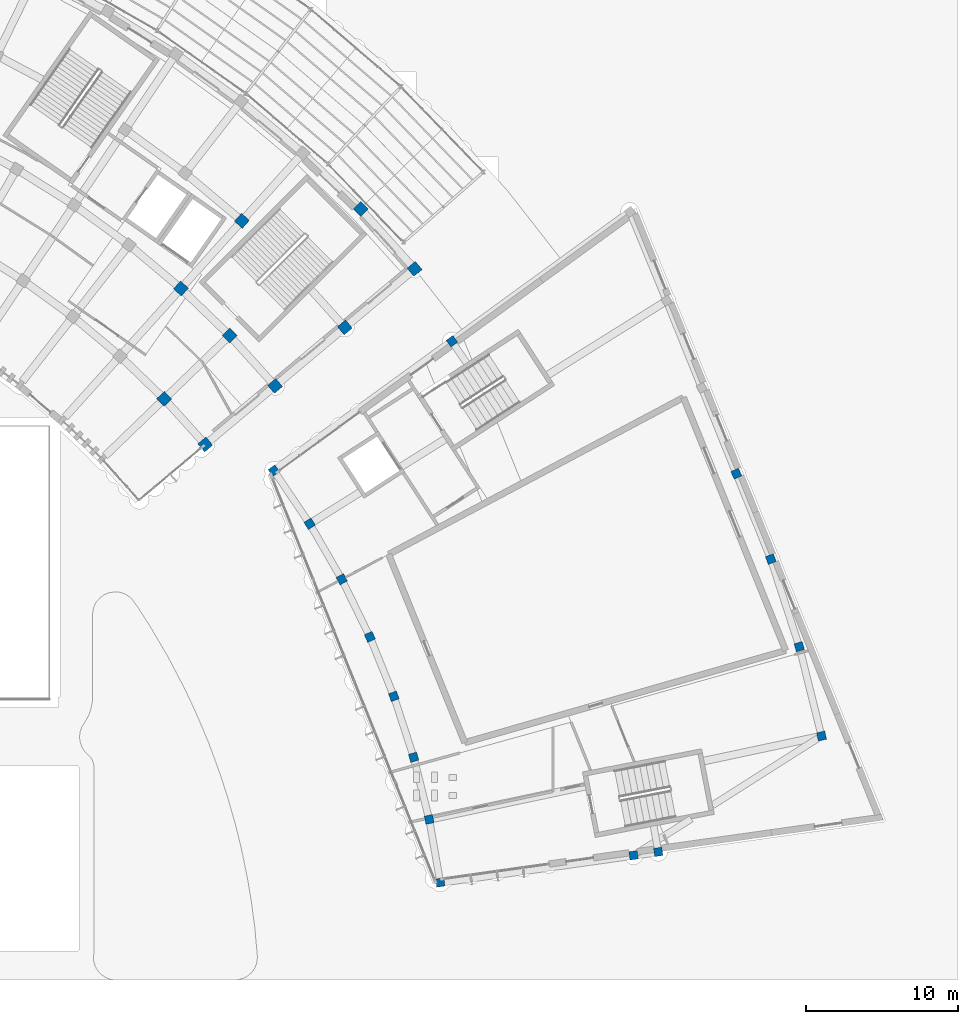
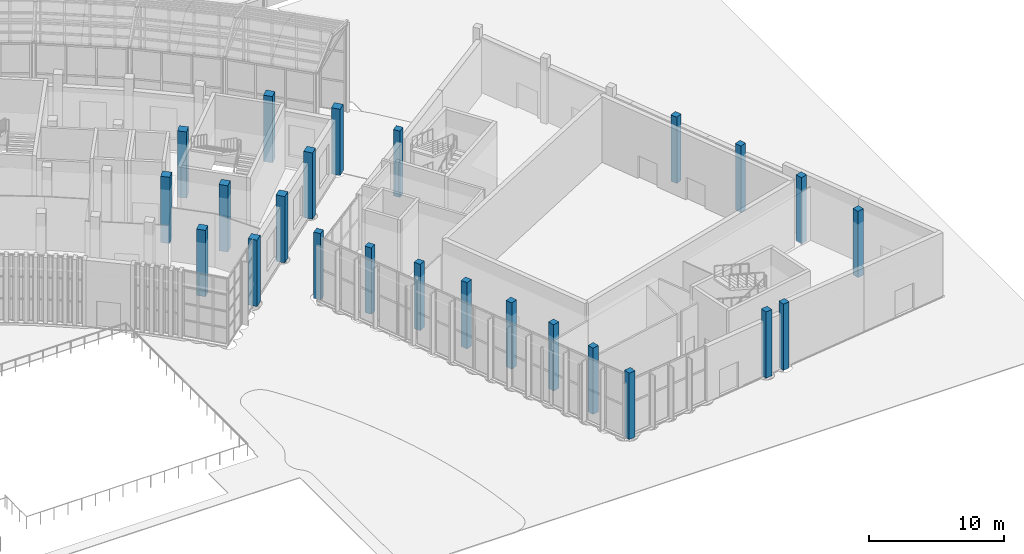
# One storey, part 16 of 155: 24 columns.
"""IFC4 building model written with IfcOpenShell, lengths in metres."""

from ifc_helpers import new_model, si_unit, direction, frame, origin, origin_2d, place, context, subcontext, project, spatial, rectangle, extrude, material, material_profile, profile_set, type_object, element, save


model = new_model("IFC4")

# Units and contexts
model_context = context("Model", 3, precision=1e-05, world=origin(), true_north=direction((0.0, 1.0)))
body_context = subcontext(model_context, "Body", "Model", "MODEL_VIEW")
ifc_project = project(units=[si_unit("LENGTHUNIT", "METRE"), si_unit("AREAUNIT", "SQUARE_METRE"), si_unit("VOLUMEUNIT", "CUBIC_METRE"), si_unit("PLANEANGLEUNIT", "RADIAN"), si_unit("MASSUNIT", "GRAM", prefix="KILO")], contexts=[model_context])

# Site, building, storey
site_placement = place(None, origin())
site = spatial("IfcSite", under=ifc_project, at=site_placement, CompositionType="ELEMENT")
building_placement = place(site_placement, origin())
building = spatial("IfcBuilding", under=site, at=building_placement, Name="Lunette Opera House", CompositionType="ELEMENT")
storey_placement = place(building_placement, origin())
storey = spatial("IfcBuildingStorey", under=building, at=storey_placement, Name="L00", CompositionType="ELEMENT", Elevation=0.0)

# Columns
ifc_material_1 = material(Name="Concrete C35/45", Category="concrete")
ifc_material_profile_1 = material_profile(ifc_material_1, rectangle(XDim=0.550048828125, YDim=0.550048828125, at=origin_2d()), Name="RC COLUMN 550X550")
ifc_profile_set_1 = profile_set([ifc_material_profile_1], Name="Concrete C35/45")
column_type_1 = type_object("IfcColumnType", Name="RC COLUMN 550X550", PredefinedType="COLUMN", material=ifc_profile_set_1)
for number, where, z_axis, x_axis, name in (
    (1, (144.946044921875, 35.56103515625, 0.0), (0.0, 0.0, 1.0), (0.587785252292, -0.809016994375, 0.0), "col-SB-L00-C00"),
    (2, (147.306884765625, 32.06005859375, 0.0), (0.0, 0.0, 1.0), (0.529919264233, -0.848048096156, 0.0), "col-SB-L00-C01"),
    (3, (149.41796875, 28.403076171875, 0.0), (0.0, 0.0, 1.0), (0.469471562786, -0.882947592859, 0.0), "col-SB-L00-C02"),
    (4, (151.27001953125, 24.60791015625, 0.0), (0.0, 0.0, 1.0), (0.406736643076, -0.913545457643, 0.0), "col-SB-L00-C03"),
    (5, (152.85107421875, 20.69189453125, 0.0), (0.0, 0.0, 1.0), (0.342020143326, -0.939692620786, 0.0), "col-SB-L00-C04"),
    (6, (154.156005859375, 16.676025390625, 0.0), (0.0, 0.0, 1.0), (0.275637355817, -0.961261695938, 0.0), "col-SB-L00-C05"),
    (7, (155.177978515625, 12.5791015625, 0.0), (0.0, 0.0, 1.0), (0.207911690818, -0.978147600734, 0.0), "col-SB-L00-C06"),
    (8, (155.910888671875, 8.419921875, 0.0), (0.0, 0.0, 1.0), (0.13917310096, -0.990268068742, 0.0), "col-SB-L00-C07"),
    (9, (156.676025390625, 44.083984375, 0.0), (0.0, 0.0, 1.0), (0.587785252292, -0.809016994375, 0.0), "col-SB-L00-C10"),
    (10, (170.27001953125, 10.43798828125, 0.0), (0.0, 0.0, 1.0), (0.13917310096, -0.990268068742, 0.0), "col-SB-L00-C17"),
    (11, (175.4150390625, 35.35791015625, 0.0), (0.0, 0.0, 1.0), (0.406736643076, -0.913545457643, 0.0), "col-SB-L00-C23"),
    (12, (177.68798828125, 29.73193359375, 0.0), (0.0, 0.0, 1.0), (0.342020143326, -0.939692620786, 0.0), "col-SB-L00-C24"),
    (13, (179.56298828125, 23.9609375, 0.0), (0.0, 0.0, 1.0), (0.275637355817, -0.961261695938, 0.0), "col-SB-L00-C25"),
    (14, (181.030029296875, 18.073974609375, 0.0), (0.0, 0.0, 1.0), (0.207911690818, -0.978147600734, 0.0), "col-SB-L00-C26"),
    (15, (168.64697265625, 10.2099609375, 0.0), (0.0, 0.0, 1.0), (0.13917310096, -0.990268068742, 0.0), "col-SB-L00-C27"),
):
    element("IfcColumn", number, at=place(storey_placement, frame(where, z_axis=z_axis, x_axis=x_axis)), inside=storey, type_object=column_type_1, Name=name, PredefinedType="COLUMN", context=body_context, shape_type="SweptSolid", body=[
        extrude(rectangle(XDim=0.550048828125, YDim=0.550048828125, at=origin_2d()), origin(), (0.0, 0.0, 1.0), 6.0),
    ])
ifc_material_2 = material(Name="Concrete C35/45", Category="concrete")
ifc_material_profile_2 = material_profile(ifc_material_2, rectangle(XDim=0.699951171875, YDim=0.699951171875, at=origin_2d()), Name="RC COLUMN 700X700")
ifc_profile_set_2 = profile_set([ifc_material_profile_2], Name="Concrete C35/45")
column_type_2 = type_object("IfcColumnType", Name="RC COLUMN 700X700", PredefinedType="COLUMN", material=ifc_profile_set_2)
for number, where, z_axis, x_axis, name in (
    (16, (137.721923828125, 40.2900390625, 0.0), (0.0, 0.0, 1.0), (0.694658370459, -0.719339800339, 0.0), "col-FC-L00-AR-M1-RL-25"),
    (17, (140.430908203125, 37.281982421875, 0.0), (0.0, 0.0, 1.0), (0.642787609687, -0.766044443119, 0.0), "col-FC-L00-AR-M1-RL-26"),
    (18, (138.823974609375, 47.56103515625, 0.0), (0.0, 0.0, 1.0), (0.743144825477, -0.669130606359, 0.0), "col-FC-L00-AR-B-RL-24"),
    (19, (142.0380859375, 44.4580078125, 0.0), (0.0, 0.0, 1.0), (0.694658370459, -0.719339800339, 0.0), "col-FC-L00-AR-B-RL-25"),
    (20, (145.027099609375, 41.137939453125, 0.0), (0.0, 0.0, 1.0), (0.642787609687, -0.766044443119, 0.0), "col-FC-L00-AR-B-RL-26"),
    (21, (142.839111328125, 52.02001953125, 0.0), (0.0, 0.0, 1.0), (0.743144825477, -0.669130606359, 0.0), "col-FC-L00-AR-M2-RL-24"),
    (22, (149.623046875, 44.9951171875, 0.0), (0.0, 0.0, 1.0), (0.642787609687, -0.766044443119, 0.0), "col-FC-L00-AR-M2-RL-26"),
    (23, (150.669921875, 52.7939453125, 0.0), (0.0, 0.0, 1.0), (0.694658370459, -0.719339800339, 0.0), "col-FC-L00-AR-C-RL-25"),
    (24, (154.218994140625, 48.85205078125, 0.0), (0.0, 0.0, 1.0), (0.642787609687, -0.766044443119, 0.0), "col-FC-L00-AR-C-RL-26"),
):
    element("IfcColumn", number, at=place(storey_placement, frame(where, z_axis=z_axis, x_axis=x_axis)), inside=storey, type_object=column_type_2, Name=name, PredefinedType="COLUMN", context=body_context, shape_type="SweptSolid", body=[
        extrude(rectangle(XDim=0.699951171875, YDim=0.699951171875, at=origin_2d()), origin(), (0.0, 0.0, 1.0), 6.0),
    ])

save(model, "model.ifc")
